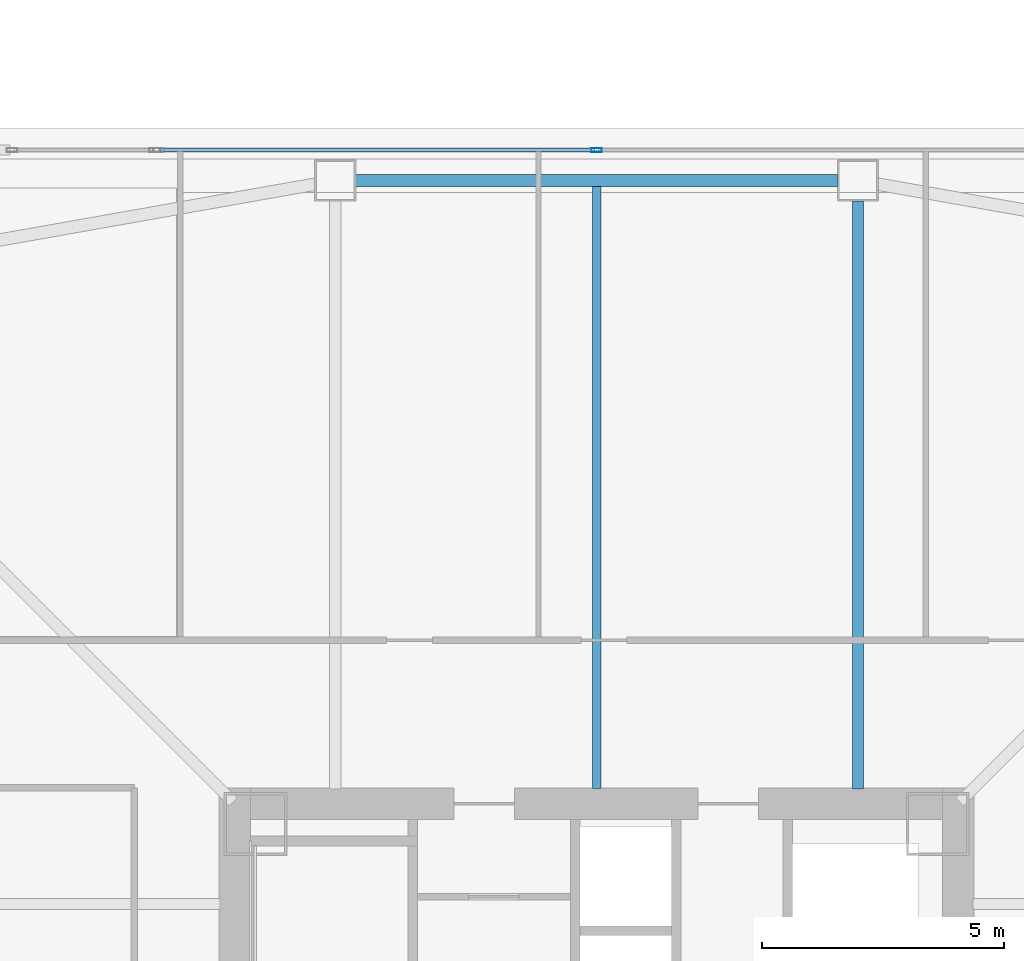
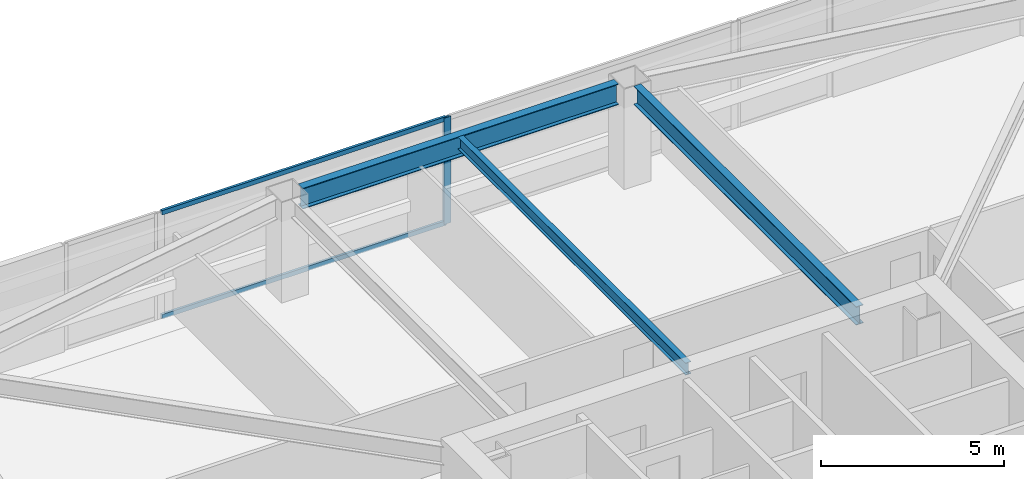
# One storey, part 15 of 49: 3 beams, 3 members, 1 element without a shape of its own.
"""IFC4 building model written with IfcOpenShell, lengths in metres."""

from ifc_helpers import new_model, si_unit, direction, frame, origin, origin_2d, place, context, subcontext, project, spatial, hollow_rectangle, i_section, extrude, material, material_profile, profile_set, type_object, element, aggregate, save


model = new_model("IFC4")

# Units and contexts
model_context = context("Model", 3, precision=1e-05, world=origin(), true_north=direction((0.0, 1.0)))
body_context = subcontext(model_context, "Body", "Model", "MODEL_VIEW")
ifc_project = project(units=[si_unit("LENGTHUNIT", "METRE"), si_unit("AREAUNIT", "SQUARE_METRE"), si_unit("VOLUMEUNIT", "CUBIC_METRE"), si_unit("PLANEANGLEUNIT", "RADIAN"), si_unit("MASSUNIT", "GRAM", prefix="KILO")], contexts=[model_context])

# Site, building, storey
site_placement = place(None, origin())
site = spatial("IfcSite", under=ifc_project, at=site_placement, CompositionType="ELEMENT")
building_placement = place(site_placement, origin())
building = spatial("IfcBuilding", under=site, at=building_placement, Name="Tashvorn Skyway Center", CompositionType="ELEMENT")
storey_placement = place(building_placement, frame((0.0, 0.0, 70.75)))
storey = spatial("IfcBuildingStorey", under=building, at=storey_placement, Name="L18", CompositionType="ELEMENT", Elevation=70.75)

# Beams
ifc_material_1 = material(Name="Steel ASTM A992 Grade 50", Category="steel")
ifc_material_profile_1 = material_profile(ifc_material_1, i_section(OverallWidth=0.22998046875, OverallDepth=0.616943359375, WebThickness=0.01318359375, FlangeThickness=0.022216796875, at=origin_2d()), Name="W24X94")
ifc_profile_set_1 = profile_set([ifc_material_profile_1], Name="Steel ASTM A992 Grade 50")
beam_type_1 = type_object("IfcBeamType", Name="BM-BEAM-W24X94", PredefinedType="BEAM", material=ifc_profile_set_1)
beam_1_placement = place(storey_placement, frame((47.39990234375, 51.929931640625, 3.04150390625), z_axis=(0.0, -1.0, 0.0), x_axis=(1.0, 0.0, 0.0)))
element("IfcBeam", 1, at=beam_1_placement, inside=storey, type_object=beam_type_1, Name="Tower 1 L18 Primary Floor Girder FC-N1", PredefinedType="BEAM", context=body_context, shape_type="SweptSolid", body=[
    extrude(i_section(OverallWidth=0.22998046875, OverallDepth=0.616943359375, WebThickness=0.01318359375, FlangeThickness=0.022216796875, at=origin_2d()), origin(), (0.0, 0.0, 1.0), 12.14990234375),
])
ifc_material_profile_2 = material_profile(ifc_material_1, i_section(OverallWidth=0.177978515625, OverallDepth=0.406005859375, WebThickness=0.0078125, FlangeThickness=0.0126953125, at=origin_2d()), Name="W16X40")
ifc_profile_set_2 = profile_set([ifc_material_profile_2], Name="Steel ASTM A992 Grade 50")
beam_type_2 = type_object("IfcBeamType", Name="BM-JOIST-W16X40", PredefinedType="JOIST", material=ifc_profile_set_2)
beam_2_placement = place(storey_placement, frame((42.0, 39.7900390625, 3.14697265625), z_axis=(0.0, 1.0, 0.0), x_axis=(-1.0, 0.0, 0.0)))
element("IfcBeam", 2, at=beam_2_placement, inside=storey, type_object=beam_type_2, Name="Tower 1 L18 Secondary Composite Joist JN", PredefinedType="JOIST", context=body_context, shape_type="SweptSolid", body=[
    extrude(i_section(OverallWidth=0.177978515625, OverallDepth=0.406005859375, WebThickness=0.0078125, FlangeThickness=0.0126953125, at=origin_2d()), origin(), (0.0, 0.0, 1.0), 12.43994140625),
])
ifc_material_profile_3 = material_profile(ifc_material_1, i_section(OverallWidth=0.256103515625, OverallDepth=0.693115234375, WebThickness=0.014404296875, FlangeThickness=0.023681640625, at=origin_2d()), Name="W27X114")
ifc_profile_set_3 = profile_set([ifc_material_profile_3], Name="Steel ASTM A992 Grade 50")
beam_type_3 = type_object("IfcBeamType", Name="BM-SPANDREL-W27X114", PredefinedType="SPANDREL", material=ifc_profile_set_3)
beam_3_placement = place(storey_placement, frame((46.97998046875, 52.35009765625, 3.00341796875), z_axis=(-1.0, 0.0, 0.0), x_axis=(0.0, -1.0, 0.0)))
element("IfcBeam", 3, at=beam_3_placement, inside=storey, type_object=beam_type_3, Name="Tower 1 L18 Spandrel Beam 08", PredefinedType="SPANDREL", context=body_context, shape_type="SweptSolid", body=[
    extrude(i_section(OverallWidth=0.256103515625, OverallDepth=0.693115234375, WebThickness=0.014404296875, FlangeThickness=0.023681640625, at=origin_2d()), origin(), (0.0, 0.0, 1.0), 9.9599609375),
])

# Curtain wall, members
ifc_material_2 = material(Name="Thermally broken bronze-anodized aluminium 6063-T6", Category="aluminium")
curtain_wall_type = type_object("IfcCurtainWallType", Name="CW-CW-Z2", PredefinedType="NOTDEFINED", material=ifc_material_2)
curtain_wall_placement = place(storey_placement, origin())
curtain_wall = element("IfcCurtainWall", 4, at=curtain_wall_placement, inside=storey, type_object=curtain_wall_type, Name="Tower 1 L18 North Unitised Curtain Wall Glazing Group 2", PredefinedType="NOTDEFINED")
ifc_material_profile_4 = material_profile(ifc_material_2, hollow_rectangle(XDim=0.080078125, YDim=0.219970703125, WallThickness=0.0048828125, at=origin_2d()), Name="ALU-MULL-80x220")
ifc_profile_set_4 = profile_set([ifc_material_profile_4], Name="Thermally broken bronze-anodized aluminium 6063-T6")
member_type_1 = type_object("IfcMemberType", Name="CWM-CW-Z2", PredefinedType="MULLION", material=ifc_profile_set_4)
member_1_placement = place(storey_placement, frame((42.0, 52.97998046875, 0.0), z_axis=(0.0, 0.0, 1.0), x_axis=(0.0, 1.0, 0.0)))
member_1 = element("IfcMember", 5, at=member_1_placement, type_object=member_type_1, Name="CW-Z2 mullion 2", PredefinedType="MULLION", context=body_context, shape_type="SweptSolid", body=[
    extrude(hollow_rectangle(XDim=0.080078125, YDim=0.219970703125, WallThickness=0.0048828125, at=origin_2d()), origin(), (0.0, 0.0, 1.0), 3.550048828125),
])
ifc_material_profile_5 = material_profile(ifc_material_2, hollow_rectangle(XDim=0.080078125, YDim=0.14990234375, WallThickness=0.00439453125, at=origin_2d()), Name="ALU-TRAN-80x150")
ifc_profile_set_5 = profile_set([ifc_material_profile_5], Name="Thermally broken bronze-anodized aluminium 6063-T6")
member_type_2 = type_object("IfcMemberType", Name="CWT-CW-Z2", PredefinedType="USERDEFINED", material=ifc_profile_set_5)
member_2_placement = place(storey_placement, frame((32.989990234375, 52.97998046875, 0.0400390625), z_axis=(1.0, 0.0, 0.0), x_axis=(0.0, 1.0, 0.0)))
member_2 = element("IfcMember", 6, at=member_2_placement, type_object=member_type_2, Name="CW-Z2 transom 1.1", ObjectType="TRANSOM", PredefinedType="USERDEFINED", context=body_context, shape_type="SweptSolid", body=[
    extrude(hollow_rectangle(XDim=0.080078125, YDim=0.14990234375, WallThickness=0.00439453125, at=origin_2d()), origin(), (0.0, 0.0, 1.0), 8.969970703125),
])
member_3_placement = place(storey_placement, frame((32.989990234375, 52.97998046875, 3.510009765625), z_axis=(1.0, 0.0, 0.0), x_axis=(0.0, 1.0, 0.0)))
member_3 = element("IfcMember", 7, at=member_3_placement, type_object=member_type_2, Name="CW-Z2 transom 1.2", ObjectType="TRANSOM", PredefinedType="USERDEFINED", context=body_context, shape_type="SweptSolid", body=[
    extrude(hollow_rectangle(XDim=0.080078125, YDim=0.14990234375, WallThickness=0.00439453125, at=origin_2d()), origin(), (0.0, 0.0, 1.0), 8.969970703125),
])
aggregate(curtain_wall, [member_1, member_2, member_3])

save(model, "model.ifc")
